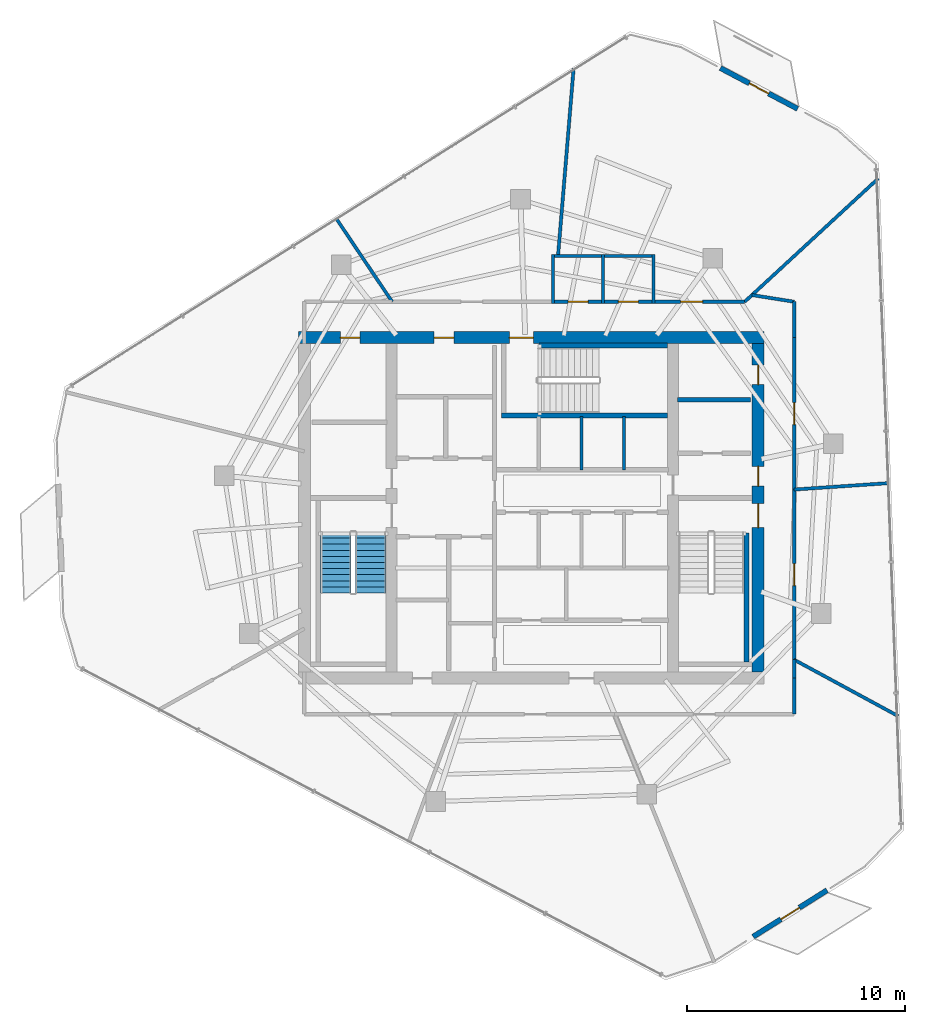
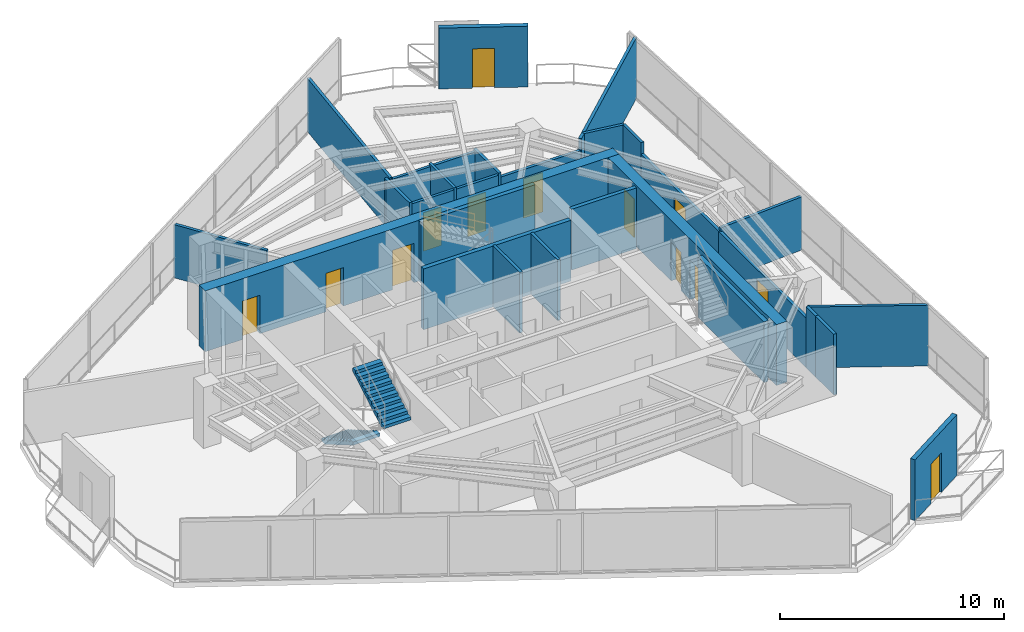
# One storey, part 16 of 19: 29 walls, 13 doors, 2 stair flights, 13 openings, 1 element without a shape of its own.
"""IFC4 building model written with IfcOpenShell, lengths in metres."""

from ifc_helpers import new_model, si_unit, direction, frame, frame_2d, origin, place, context, subcontext, project, spatial, polyline, rectangle, outline, extrude, material, layer, layer_set, type_object, element, fill, aggregate, save


model = new_model("IFC4")

# Units and contexts
model_context = context("Model", 3, precision=1e-05, world=origin(), true_north=direction((0.0, 1.0)))
body_context = subcontext(model_context, "Body", "Model", "MODEL_VIEW")
ifc_project = project(units=[si_unit("LENGTHUNIT", "METRE"), si_unit("AREAUNIT", "SQUARE_METRE"), si_unit("VOLUMEUNIT", "CUBIC_METRE"), si_unit("PLANEANGLEUNIT", "RADIAN"), si_unit("MASSUNIT", "GRAM", prefix="KILO")], contexts=[model_context])

# Site, building, storey
site_placement = place(None, origin())
site = spatial("IfcSite", under=ifc_project, at=site_placement, CompositionType="ELEMENT")
building_placement = place(site_placement, origin())
building = spatial("IfcBuilding", under=site, at=building_placement, Name="Qarnah Convention Tower", CompositionType="ELEMENT")
storey_placement = place(building_placement, frame((0.0, 0.0, 187.800048828125)))
storey = spatial("IfcBuildingStorey", under=building, at=storey_placement, Name="L50", CompositionType="ELEMENT", Elevation=187.800048828125)

# Wall, openings, doors
ifc_material_1 = material(Name="Concrete C60/75", Category="concrete")
ifc_layer_1 = layer(ifc_material_1, 0.550048828125)
ifc_layer_set_1 = layer_set([ifc_layer_1], Name="Concrete C60/75")
wall_type_1 = type_object("IfcWallType", Name="WL-CORE-550", PredefinedType="SHEAR", material=ifc_layer_set_1)
wall_1_placement = place(storey_placement, frame((26.52490234375, 34.199951171875, 0.0), z_axis=(0.0, 0.0, 1.0), x_axis=(1.0, 0.0, 0.0)))
wall_1 = element("IfcWall", 1, at=wall_1_placement, inside=storey, type_object=wall_type_1, Name="L50 core north shear wall", PredefinedType="SHEAR", context=body_context, shape_type="SweptSolid", body=[
    extrude(rectangle(XDim=21.35009765625, YDim=0.550048828125, at=frame_2d((10.675048828125, 0.0))), origin(), (0.0, 0.0, 1.0), 3.320068359375),
])
opening_1_placement = place(wall_1_placement, frame((9.675048828125, 0.0, 0.0)))
opening_1 = element("IfcOpeningElement", 2, at=opening_1_placement, cuts=wall_1, Name="Opening D-5003", PredefinedType="OPENING", context=body_context, shape_type="SweptSolid", body=[
    extrude(rectangle(XDim=1.10009765625, YDim=2.14990234375, at=frame_2d((0.550048828125, 1.074951171875))), frame((0.0, 0.284912109375, 0.0), z_axis=(0.0, -1.0, 0.0), x_axis=(1.0, 0.0, 0.0)), (0.0, 0.0, 1.0), 0.570068359375),
])
opening_2_placement = place(wall_1_placement, frame((1.925048828125, 0.0, 0.0)))
opening_2 = element("IfcOpeningElement", 3, at=opening_2_placement, cuts=wall_1, Name="Opening D-5009", PredefinedType="OPENING", context=body_context, shape_type="SweptSolid", body=[
    extrude(rectangle(XDim=0.89990234375, YDim=2.10009765625, at=frame_2d((0.449951171875, 1.050048828125))), frame((0.0, 0.284912109375, 0.0), z_axis=(0.0, -1.0, 0.0), x_axis=(1.0, 0.0, 0.0)), (0.0, 0.0, 1.0), 0.570068359375),
])
opening_3_placement = place(wall_1_placement, frame((6.22509765625, 0.0, 0.0)))
opening_3 = element("IfcOpeningElement", 4, at=opening_3_placement, cuts=wall_1, Name="Opening D-5010", PredefinedType="OPENING", context=body_context, shape_type="SweptSolid", body=[
    extrude(rectangle(XDim=0.89990234375, YDim=2.10009765625, at=frame_2d((0.449951171875, 1.050048828125))), frame((0.0, 0.284912109375, 0.0), z_axis=(0.0, -1.0, 0.0), x_axis=(1.0, 0.0, 0.0)), (0.0, 0.0, 1.0), 0.570068359375),
])
ifc_material_2 = material(Name="Structural steel S355JR", Category="steel")
door_type_1 = type_object("IfcDoorType", Name="DT-RISER-900", OperationType="NOTDEFINED", PredefinedType="DOOR", material=ifc_material_2)
door_1_placement = place(opening_2_placement, origin())
door_1 = element("IfcDoor", 5, at=door_1_placement, inside=storey, type_object=door_type_1, Name="Door D-5009", OperationType="SINGLE_SWING_RIGHT", OverallHeight=2.10009765625, OverallWidth=0.89990234375, PredefinedType="DOOR", context=body_context, shape_type="SweptSolid", body=[
    extrude(rectangle(XDim=0.89990234375, YDim=2.10009765625, at=frame_2d((0.449951171875, 1.050048828125))), frame((0.0, 0.02490234375, 0.0), z_axis=(0.0, -1.0, 0.0), x_axis=(1.0, 0.0, 0.0)), (0.0, 0.0, 1.0), 0.050048828125),
])
fill(opening_2, door_1)
door_2_placement = place(opening_3_placement, origin())
door_2 = element("IfcDoor", 6, at=door_2_placement, inside=storey, type_object=door_type_1, Name="Door D-5010", OperationType="SINGLE_SWING_LEFT", OverallHeight=2.10009765625, OverallWidth=0.89990234375, PredefinedType="DOOR", context=body_context, shape_type="SweptSolid", body=[
    extrude(rectangle(XDim=0.89990234375, YDim=2.10009765625, at=frame_2d((0.449951171875, 1.050048828125))), frame((0.0, 0.02490234375, 0.0), z_axis=(0.0, -1.0, 0.0), x_axis=(1.0, 0.0, 0.0)), (0.0, 0.0, 1.0), 0.050048828125),
])
fill(opening_3, door_2)
door_type_2 = type_object("IfcDoorType", Name="DT-STAIR-1100", OperationType="NOTDEFINED", PredefinedType="DOOR", material=ifc_material_2)
door_3_placement = place(opening_1_placement, origin())
door_3 = element("IfcDoor", 7, at=door_3_placement, inside=storey, type_object=door_type_2, Name="Door D-5003", OperationType="SINGLE_SWING_RIGHT", OverallHeight=2.14990234375, OverallWidth=1.10009765625, PredefinedType="DOOR", context=body_context, shape_type="SweptSolid", body=[
    extrude(rectangle(XDim=1.10009765625, YDim=2.14990234375, at=frame_2d((0.550048828125, 1.074951171875))), frame((0.0, 0.02490234375, 0.0), z_axis=(0.0, -1.0, 0.0), x_axis=(1.0, 0.0, 0.0)), (0.0, 0.0, 1.0), 0.050048828125),
])
fill(opening_1, door_3)

wall_2_placement = place(storey_placement, frame((47.60009765625, 18.875, 0.0), z_axis=(0.0, 0.0, 1.0), x_axis=(0.0, 1.0, 0.0)))
wall_2 = element("IfcWall", 8, at=wall_2_placement, inside=storey, type_object=wall_type_1, Name="L50 core east shear wall", PredefinedType="SHEAR", context=body_context, shape_type="SweptSolid", body=[
    extrude(rectangle(XDim=15.050048828125, YDim=0.550048828125, at=frame_2d((7.52490234375, 0.0))), origin(), (0.0, 0.0, 1.0), 3.320068359375),
])
opening_4_placement = place(wall_2_placement, frame((6.625, 0.0, 0.0)))
opening_4 = element("IfcOpeningElement", 9, at=opening_4_placement, cuts=wall_2, Name="Opening D-5002", PredefinedType="OPENING", context=body_context, shape_type="SweptSolid", body=[
    extrude(rectangle(XDim=1.10009765625, YDim=2.14990234375, at=frame_2d((0.550048828125, 1.074951171875))), frame((0.0, 0.284912109375, 0.0), z_axis=(0.0, -1.0, 0.0), x_axis=(1.0, 0.0, 0.0)), (0.0, 0.0, 1.0), 0.570068359375),
])
opening_5_placement = place(wall_2_placement, frame((8.52490234375, 0.0, 0.0)))
opening_5 = element("IfcOpeningElement", 10, at=opening_5_placement, cuts=wall_2, Name="Opening D-5006", PredefinedType="OPENING", context=body_context, shape_type="SweptSolid", body=[
    extrude(rectangle(XDim=0.89990234375, YDim=2.10009765625, at=frame_2d((0.449951171875, 1.050048828125))), frame((0.0, 0.284912109375, 0.0), z_axis=(0.0, -1.0, 0.0), x_axis=(1.0, 0.0, 0.0)), (0.0, 0.0, 1.0), 0.570068359375),
])
opening_6_placement = place(wall_2_placement, frame((13.175048828125, 0.0, 0.0)))
opening_6 = element("IfcOpeningElement", 11, at=opening_6_placement, cuts=wall_2, Name="Opening D-5012", PredefinedType="OPENING", context=body_context, shape_type="SweptSolid", body=[
    extrude(rectangle(XDim=0.89990234375, YDim=2.10009765625, at=frame_2d((0.449951171875, 1.050048828125))), frame((0.0, 0.284912109375, 0.0), z_axis=(0.0, -1.0, 0.0), x_axis=(1.0, 0.0, 0.0)), (0.0, 0.0, 1.0), 0.570068359375),
])
door_4_placement = place(opening_5_placement, origin())
door_4 = element("IfcDoor", 12, at=door_4_placement, inside=storey, type_object=door_type_1, Name="Door D-5006", OperationType="SINGLE_SWING_LEFT", OverallHeight=2.10009765625, OverallWidth=0.89990234375, PredefinedType="DOOR", context=body_context, shape_type="SweptSolid", body=[
    extrude(rectangle(XDim=0.89990234375, YDim=2.10009765625, at=frame_2d((0.449951171875, 1.050048828125))), frame((0.0, 0.02490234375, 0.0), z_axis=(0.0, -1.0, 0.0), x_axis=(1.0, 0.0, 0.0)), (0.0, 0.0, 1.0), 0.050048828125),
])
fill(opening_5, door_4)
door_5_placement = place(opening_6_placement, origin())
door_5 = element("IfcDoor", 13, at=door_5_placement, inside=storey, type_object=door_type_1, Name="Door D-5012", OperationType="SINGLE_SWING_LEFT", OverallHeight=2.10009765625, OverallWidth=0.89990234375, PredefinedType="DOOR", context=body_context, shape_type="SweptSolid", body=[
    extrude(rectangle(XDim=0.89990234375, YDim=2.10009765625, at=frame_2d((0.449951171875, 1.050048828125))), frame((0.0, 0.02490234375, 0.0), z_axis=(0.0, -1.0, 0.0), x_axis=(1.0, 0.0, 0.0)), (0.0, 0.0, 1.0), 0.050048828125),
])
fill(opening_6, door_5)
door_6_placement = place(opening_4_placement, origin())
door_6 = element("IfcDoor", 14, at=door_6_placement, inside=storey, type_object=door_type_2, Name="Door D-5002", OperationType="SINGLE_SWING_LEFT", OverallHeight=2.14990234375, OverallWidth=1.10009765625, PredefinedType="DOOR", context=body_context, shape_type="SweptSolid", body=[
    extrude(rectangle(XDim=1.10009765625, YDim=2.14990234375, at=frame_2d((0.550048828125, 1.074951171875))), frame((0.0, 0.02490234375, 0.0), z_axis=(0.0, -1.0, 0.0), x_axis=(1.0, 0.0, 0.0)), (0.0, 0.0, 1.0), 0.050048828125),
])
fill(opening_4, door_6)

# Walls
ifc_material_3 = material(Name="Concrete C45/55", Category="concrete")
ifc_layer_2 = layer(ifc_material_3, 0.199951171875)
ifc_layer_set_2 = layer_set([ifc_layer_2], Name="Concrete C45/55")
wall_type_2 = type_object("IfcWallType", Name="WL-CORE-PART-200", PredefinedType="SOLIDWALL", material=ifc_layer_set_2)
wall_3_placement = place(storey_placement, frame((43.89990234375, 31.35009765625, 0.0), z_axis=(0.0, 0.0, 1.0), x_axis=(1.0, 0.0, 0.0)))
element("IfcWall", 15, at=wall_3_placement, inside=storey, type_object=wall_type_2, Name="L50 interior wall IW-L50-WTRN", PredefinedType="SOLIDWALL", context=body_context, shape_type="SweptSolid", body=[
    extrude(rectangle(XDim=3.35009765625, YDim=0.199951171875, at=frame_2d((1.675048828125, 0.0))), origin(), (0.0, 0.0, 1.0), 3.320068359375),
])
ifc_layer_3 = layer(ifc_material_1, 0.219970703125)
ifc_layer_set_3 = layer_set([ifc_layer_3], Name="Concrete C60/75")
wall_type_3 = type_object("IfcWallType", Name="WL-CORE-STAIR-220", PredefinedType="SHEAR", material=ifc_layer_set_3)
wall_4_placement = place(storey_placement, frame((47.06005859375, 19.35009765625, 0.0), z_axis=(0.0, 0.0, 1.0), x_axis=(0.0, 1.0, 0.0)))
element("IfcWall", 16, at=wall_4_placement, inside=storey, type_object=wall_type_3, Name="L50 stair shaft shear wall SW-L50-ST2E", PredefinedType="SHEAR", context=body_context, shape_type="SweptSolid", body=[
    extrude(rectangle(XDim=5.89990234375, YDim=0.219970703125, at=frame_2d((2.949951171875, 0.0))), origin(), (0.0, 0.0, 1.0), 3.320068359375),
])
wall_5_placement = place(storey_placement, frame((35.840087890625, 30.639892578125, 0.0), z_axis=(0.0, 0.0, 1.0), x_axis=(1.0, 0.0, 0.0)))
element("IfcWall", 17, at=wall_5_placement, inside=storey, type_object=wall_type_3, Name="L50 stair shaft shear wall SW-L50-ST3S", PredefinedType="SHEAR", context=body_context, shape_type="SweptSolid", body=[
    extrude(rectangle(XDim=7.60986328125, YDim=0.219970703125, at=frame_2d((3.804931640625, 0.0))), origin(), (0.0, 0.0, 1.0), 3.320068359375),
])
wall_6_placement = place(storey_placement, frame((37.550048828125, 33.840087890625, 0.0), z_axis=(0.0, 0.0, 1.0), x_axis=(1.0, 0.0, 0.0)))
element("IfcWall", 18, at=wall_6_placement, inside=storey, type_object=wall_type_3, Name="L50 stair shaft shear wall SW-L50-ST3N", PredefinedType="SHEAR", context=body_context, shape_type="SweptSolid", body=[
    extrude(rectangle(XDim=5.89990234375, YDim=0.219970703125, at=frame_2d((2.949951171875, 0.0))), origin(), (0.0, 0.0, 1.0), 3.320068359375),
])

# Wall, opening, door
ifc_material_4 = material(Name="Precast concrete C45/55", Category="concrete")
ifc_layer_4 = layer(ifc_material_4, 0.239990234375)
ifc_layer_set_4 = layer_set([ifc_layer_4], Name="Precast concrete C45/55")
wall_type_4 = type_object("IfcWallType", Name="WL-EXT-BAL-240", PredefinedType="SOLIDWALL", material=ifc_layer_set_4)
wall_7_placement = place(storey_placement, frame((45.8701171875, 46.56103515625, 0.0), z_axis=(0.0, 0.0, 1.0), x_axis=(0.884256639335, -0.467001280289, 0.0)))
wall_7 = element("IfcWall", 19, at=wall_7_placement, inside=storey, type_object=wall_type_4, Name="L50 loggia threshold wall BAL-L50-C1", PredefinedType="SOLIDWALL", context=body_context, shape_type="SweptSolid", body=[
    extrude(rectangle(XDim=3.999755859375, YDim=0.239990234375, at=frame_2d((2.0, 0.0))), origin(), (0.0, 0.0, 1.0), 3.320068359375),
])
opening_7_placement = place(wall_7_placement, frame((1.5, 0.0, 0.0)))
opening_7 = element("IfcOpeningElement", 20, at=opening_7_placement, cuts=wall_7, Name="Opening BD-5001", PredefinedType="OPENING", context=body_context, shape_type="SweptSolid", body=[
    extrude(rectangle(XDim=1.0, YDim=2.14990234375, at=frame_2d((0.5, 1.074951171875))), frame((0.0, 0.1298828125, 0.0), z_axis=(0.0, -1.0, 0.0), x_axis=(1.0, 0.0, 0.0)), (0.0, 0.0, 1.0), 0.260009765625),
])
ifc_material_5 = material(Name="Black anodised aluminium", Category="aluminium")
door_type_3 = type_object("IfcDoorType", Name="DT-BAL-1000", OperationType="NOTDEFINED", PredefinedType="DOOR", material=ifc_material_5)
door_7_placement = place(opening_7_placement, origin())
door_7 = element("IfcDoor", 21, at=door_7_placement, inside=storey, type_object=door_type_3, Name="L50 balcony terrace door BAL-L50-C1", OperationType="SINGLE_SWING_LEFT", OverallHeight=2.14990234375, OverallWidth=1.0, PredefinedType="DOOR", context=body_context, shape_type="SweptSolid", body=[
    extrude(rectangle(XDim=1.0, YDim=2.14990234375, at=frame_2d((0.5, 1.074951171875))), frame((0.0, 0.02490234375, 0.0), z_axis=(0.0, -1.0, 0.0), x_axis=(1.0, 0.0, 0.0)), (0.0, 0.0, 1.0), 0.050048828125),
])
fill(opening_7, door_7)

wall_8_placement = place(storey_placement, frame((50.758056640625, 8.87890625, 0.0), z_axis=(0.0, 0.0, 1.0), x_axis=(-0.846641262867, -0.532164046147, 0.0)))
wall_8 = element("IfcWall", 22, at=wall_8_placement, inside=storey, type_object=wall_type_4, Name="L50 loggia threshold wall BAL-L50-C3", PredefinedType="SOLIDWALL", context=body_context, shape_type="SweptSolid", body=[
    extrude(rectangle(XDim=4.00048828125, YDim=0.239990234375, at=frame_2d((2.000244140625, 0.0))), origin(), (0.0, 0.0, 1.0), 3.320068359375),
])
opening_8_placement = place(wall_8_placement, frame((1.5, 0.0, 0.0)))
opening_8 = element("IfcOpeningElement", 23, at=opening_8_placement, cuts=wall_8, Name="Opening BD-5003", PredefinedType="OPENING", context=body_context, shape_type="SweptSolid", body=[
    extrude(rectangle(XDim=1.0, YDim=2.14990234375, at=frame_2d((0.5, 1.074951171875))), frame((0.0, 0.1298828125, 0.0), z_axis=(0.0, -1.0, 0.0), x_axis=(1.0, 0.0, 0.0)), (0.0, 0.0, 1.0), 0.260009765625),
])
door_8_placement = place(opening_8_placement, origin())
door_8 = element("IfcDoor", 24, at=door_8_placement, inside=storey, type_object=door_type_3, Name="L50 balcony terrace door BAL-L50-C3", OperationType="SINGLE_SWING_LEFT", OverallHeight=2.14990234375, OverallWidth=1.0, PredefinedType="DOOR", context=body_context, shape_type="SweptSolid", body=[
    extrude(rectangle(XDim=1.0, YDim=2.14990234375, at=frame_2d((0.5, 1.074951171875))), frame((0.0, 0.02490234375, 0.0), z_axis=(0.0, -1.0, 0.0), x_axis=(1.0, 0.0, 0.0)), (0.0, 0.0, 1.0), 0.050048828125),
])
fill(opening_8, door_8)

# Walls
ifc_material_6 = material(Name="Gypsum partition board")
ifc_layer_5 = layer(ifc_material_6, 0.14990234375)
ifc_layer_set_5 = layer_set([ifc_layer_5], Name="Gypsum partition board")
wall_type_5 = type_object("IfcWallType", Name="WL-SUITE-150", PredefinedType="PARTITIONING", material=ifc_layer_set_5)
for number, where, z_axis, x_axis, name in (
    (25, (39.5, 28.14990234375, 0.0), (0.0, 0.0, 1.0), (0.0, 1.0, 0.0), "L50 interior wall IW-L50-PHD2"),
    (26, (41.449951171875, 28.14990234375, 0.0), (0.0, 0.0, 1.0), (0.0, 1.0, 0.0), "L50 interior wall IW-L50-PHD3"),
):
    element("IfcWall", number, at=place(storey_placement, frame(where, z_axis=z_axis, x_axis=x_axis)), inside=storey, type_object=wall_type_5, Name=name, PredefinedType="PARTITIONING", context=body_context, shape_type="SweptSolid", body=[
        extrude(rectangle(XDim=2.43017578125, YDim=0.14990234375, at=frame_2d((1.215087890625, 0.0))), origin(), (0.0, 0.0, 1.0), 3.320068359375),
    ])
wall_9_placement = place(storey_placement, frame((53.10107421875, 41.49609375, 0.0), z_axis=(0.0, 0.0, 1.0), x_axis=(-0.734720217719, -0.678370254121, 0.0)))
element("IfcWall", 27, at=wall_9_placement, inside=storey, type_object=wall_type_5, Name="L50 interior wall IW-L50-R-08", PredefinedType="PARTITIONING", context=body_context, shape_type="SweptSolid", body=[
    extrude(rectangle(XDim=8.322998046875, YDim=0.14990234375, at=frame_2d((4.16162109375, 0.0))), origin(), (0.0, 0.0, 1.0), 3.320068359375),
])
wall_10_placement = place(storey_placement, frame((47.31689453125, 36.156005859375, 0.0), z_axis=(0.0, 0.0, 1.0), x_axis=(0.987709301522, -0.156302065523, 0.0)))
element("IfcWall", 28, at=wall_10_placement, inside=storey, type_object=wall_type_5, Name="L50 interior wall IW-L50-R-09", PredefinedType="PARTITIONING", context=body_context, shape_type="SweptSolid", body=[
    extrude(rectangle(XDim=1.957275390625, YDim=0.14990234375, at=frame_2d((0.978515625, 0.0))), origin(), (0.0, 0.0, 1.0), 3.320068359375),
])
wall_11_placement = place(storey_placement, frame((49.25, 35.85009765625, 0.0), z_axis=(0.0, 0.0, 1.0), x_axis=(0.0, -1.0, 0.0)))
element("IfcWall", 29, at=wall_11_placement, inside=storey, type_object=wall_type_5, Name="L50 interior wall IW-L50-R-10", PredefinedType="PARTITIONING", context=body_context, shape_type="SweptSolid", body=[
    extrude(rectangle(XDim=1.650146484375, YDim=0.14990234375, at=frame_2d((0.8251953125, 0.0))), origin(), (0.0, 0.0, 1.0), 3.320068359375),
])

# Wall, opening, door
wall_12_placement = place(storey_placement, frame((49.25, 34.199951171875, 0.0), z_axis=(0.0, 0.0, 1.0), x_axis=(0.0, -1.0, 0.0)))
wall_12 = element("IfcWall", 30, at=wall_12_placement, inside=storey, type_object=wall_type_5, Name="L50 interior wall IW-L50-R-11", PredefinedType="PARTITIONING", context=body_context, shape_type="SweptSolid", body=[
    extrude(rectangle(XDim=6.95703125, YDim=0.14990234375, at=frame_2d((3.478515625, 0.0))), origin(), (0.0, 0.0, 1.0), 2.697021484375),
])
opening_9_placement = place(wall_12_placement, frame((2.97900390625, 0.0, 0.0)))
opening_9 = element("IfcOpeningElement", 31, at=opening_9_placement, cuts=wall_12, Name="Opening D-5020", PredefinedType="OPENING", context=body_context, shape_type="SweptSolid", body=[
    extrude(rectangle(XDim=1.0, YDim=2.14990234375, at=frame_2d((0.5, 1.074951171875))), frame((0.0, 0.0849609375, 0.0), z_axis=(0.0, -1.0, 0.0), x_axis=(1.0, 0.0, 0.0)), (0.0, 0.0, 1.0), 0.169921875),
])
ifc_material_7 = material(Name="Oak timber veneer", Category="wood")
door_type_4 = type_object("IfcDoorType", Name="DT-OFFICE-1000", OperationType="NOTDEFINED", PredefinedType="DOOR", material=ifc_material_7)
door_9_placement = place(opening_9_placement, origin())
door_9 = element("IfcDoor", 32, at=door_9_placement, inside=storey, type_object=door_type_4, Name="Door D-5020", OperationType="SINGLE_SWING_LEFT", OverallHeight=2.14990234375, OverallWidth=1.0, PredefinedType="DOOR", context=body_context, shape_type="SweptSolid", body=[
    extrude(rectangle(XDim=1.0, YDim=2.14990234375, at=frame_2d((0.5, 1.074951171875))), frame((0.0, 0.02490234375, 0.0), z_axis=(0.0, -1.0, 0.0), x_axis=(1.0, 0.0, 0.0)), (0.0, 0.0, 1.0), 0.050048828125),
])
fill(opening_9, door_9)

# Walls
wall_13_placement = place(storey_placement, frame((49.25, 27.242919921875, 0.0), z_axis=(0.0, 0.0, 1.0), x_axis=(0.997713090126, 0.067591344053, 0.0)))
element("IfcWall", 33, at=wall_13_placement, inside=storey, type_object=wall_type_5, Name="L50 interior wall IW-L50-R-12", PredefinedType="PARTITIONING", context=body_context, shape_type="SweptSolid", body=[
    extrude(rectangle(XDim=4.366943359375, YDim=0.14990234375, at=frame_2d((2.18359375, 0.0))), origin(), (0.0, 0.0, 1.0), 2.905029296875),
])
wall_14_placement = place(storey_placement, frame((39.14404296875, 46.5458984375, 0.0), z_axis=(0.0, 0.0, 1.0), x_axis=(-0.082902592296, -0.996557655227, 0.0)))
element("IfcWall", 34, at=wall_14_placement, inside=storey, type_object=wall_type_5, Name="L50 interior wall IW-L50-R-13", PredefinedType="PARTITIONING", context=body_context, shape_type="SweptSolid", body=[
    extrude(rectangle(XDim=8.625732421875, YDim=0.14990234375, at=frame_2d((4.31298828125, 0.0))), origin(), (0.0, 0.0, 1.0), 2.905029296875),
])

# Wall, opening, door
wall_15_placement = place(storey_placement, frame((42.8701171875, 35.85009765625, 0.0), z_axis=(0.0, 0.0, 1.0), x_axis=(1.0, 0.0, 0.0)))
wall_15 = element("IfcWall", 35, at=wall_15_placement, inside=storey, type_object=wall_type_5, Name="L50 interior wall IW-L50-R-14", PredefinedType="PARTITIONING", context=body_context, shape_type="SweptSolid", body=[
    extrude(rectangle(XDim=4.115966796875, YDim=0.14990234375, at=frame_2d((2.05810546875, 0.0))), origin(), (0.0, 0.0, 1.0), 2.697021484375),
])
opening_10_placement = place(wall_15_placement, frame((1.180908203125, 0.0, 0.0)))
opening_10 = element("IfcOpeningElement", 36, at=opening_10_placement, cuts=wall_15, Name="Opening D-5021", PredefinedType="OPENING", context=body_context, shape_type="SweptSolid", body=[
    extrude(rectangle(XDim=1.0, YDim=2.14990234375, at=frame_2d((0.5, 1.074951171875))), frame((0.0, 0.0849609375, 0.0), z_axis=(0.0, -1.0, 0.0), x_axis=(1.0, 0.0, 0.0)), (0.0, 0.0, 1.0), 0.169921875),
])
door_10_placement = place(opening_10_placement, origin())
door_10 = element("IfcDoor", 37, at=door_10_placement, inside=storey, type_object=door_type_4, Name="Door D-5021", OperationType="SINGLE_SWING_RIGHT", OverallHeight=2.14990234375, OverallWidth=1.0, PredefinedType="DOOR", context=body_context, shape_type="SweptSolid", body=[
    extrude(rectangle(XDim=1.0, YDim=2.14990234375, at=frame_2d((0.5, 1.074951171875))), frame((0.0, 0.02490234375, 0.0), z_axis=(0.0, -1.0, 0.0), x_axis=(1.0, 0.0, 0.0)), (0.0, 0.0, 1.0), 0.050048828125),
])
fill(opening_10, door_10)

# Walls
wall_16_placement = place(storey_placement, frame((28.25390625, 39.678955078125, 0.0), z_axis=(0.0, 0.0, 1.0), x_axis=(0.557616067382, -0.830098982891, 0.0)))
element("IfcWall", 38, at=wall_16_placement, inside=storey, type_object=wall_type_5, Name="L50 interior wall IW-L50-R-15", PredefinedType="PARTITIONING", context=body_context, shape_type="SweptSolid", body=[
    extrude(rectangle(XDim=4.612548828125, YDim=0.14990234375, at=frame_2d((2.30615234375, 0.0))), origin(), (0.0, 0.0, 1.0), 2.905029296875),
])
wall_17_placement = place(storey_placement, frame((54.02197265625, 16.85888671875, 0.0), z_axis=(0.0, 0.0, 1.0), x_axis=(-0.879337494104, 0.476199088053, 0.0)))
element("IfcWall", 39, at=wall_17_placement, inside=storey, type_object=wall_type_5, Name="L50 interior wall IW-L50-R-26", PredefinedType="PARTITIONING", context=body_context, shape_type="SweptSolid", body=[
    extrude(rectangle(XDim=5.4267578125, YDim=0.14990234375, at=frame_2d((2.71337890625, 0.0))), origin(), (0.0, 0.0, 1.0), 3.320068359375),
])
wall_18_placement = place(storey_placement, frame((49.25, 19.443115234375, 0.0), z_axis=(0.0, 0.0, 1.0), x_axis=(0.0, -1.0, 0.0)))
element("IfcWall", 40, at=wall_18_placement, inside=storey, type_object=wall_type_5, Name="L50 interior wall IW-L50-R-27", PredefinedType="PARTITIONING", context=body_context, shape_type="SweptSolid", body=[
    extrude(rectangle(XDim=0.843017578125, YDim=0.14990234375, at=frame_2d((0.42138671875, 0.0))), origin(), (0.0, 0.0, 1.0), 3.320068359375),
])
wall_19_placement = place(storey_placement, frame((49.25, 18.60009765625, 0.0), z_axis=(0.0, 0.0, 1.0), x_axis=(0.0, -1.0, 0.0)))
element("IfcWall", 41, at=wall_19_placement, inside=storey, type_object=wall_type_5, Name="L50 interior wall IW-L50-R-28", PredefinedType="PARTITIONING", context=body_context, shape_type="SweptSolid", body=[
    extrude(rectangle(XDim=1.650146484375, YDim=0.14990234375, at=frame_2d((0.8251953125, 0.0))), origin(), (0.0, 0.0, 1.0), 3.320068359375),
])

# Wall, opening, door
wall_20_placement = place(storey_placement, frame((49.25, 27.242919921875, 0.0), z_axis=(0.0, 0.0, 1.0), x_axis=(0.0, -1.0, 0.0)))
wall_20 = element("IfcWall", 42, at=wall_20_placement, inside=storey, type_object=wall_type_5, Name="L50 interior wall IW-L50-R-30", PredefinedType="PARTITIONING", context=body_context, shape_type="SweptSolid", body=[
    extrude(rectangle(XDim=7.7998046875, YDim=0.14990234375, at=frame_2d((3.89990234375, 0.0))), origin(), (0.0, 0.0, 1.0), 2.697021484375),
])
opening_11_placement = place(wall_20_placement, frame((3.39990234375, 0.0, 0.0)))
opening_11 = element("IfcOpeningElement", 43, at=opening_11_placement, cuts=wall_20, Name="Opening D-5028", PredefinedType="OPENING", context=body_context, shape_type="SweptSolid", body=[
    extrude(rectangle(XDim=1.0, YDim=2.14990234375, at=frame_2d((0.5, 1.074951171875))), frame((0.0, 0.0849609375, 0.0), z_axis=(0.0, -1.0, 0.0), x_axis=(1.0, 0.0, 0.0)), (0.0, 0.0, 1.0), 0.169921875),
])
door_11_placement = place(opening_11_placement, origin())
door_11 = element("IfcDoor", 44, at=door_11_placement, inside=storey, type_object=door_type_4, Name="Door D-5028", OperationType="SINGLE_SWING_LEFT", OverallHeight=2.14990234375, OverallWidth=1.0, PredefinedType="DOOR", context=body_context, shape_type="SweptSolid", body=[
    extrude(rectangle(XDim=1.0, YDim=2.14990234375, at=frame_2d((0.5, 1.074951171875))), frame((0.0, 0.02490234375, 0.0), z_axis=(0.0, -1.0, 0.0), x_axis=(1.0, 0.0, 0.0)), (0.0, 0.0, 1.0), 0.050048828125),
])
fill(opening_11, door_11)

ifc_layer_6 = layer(ifc_material_6, 0.139892578125)
ifc_layer_set_6 = layer_set([ifc_layer_6], Name="Gypsum partition board")
wall_type_6 = type_object("IfcWallType", Name="WL-WET-140", PredefinedType="PARTITIONING", material=ifc_layer_set_6)
wall_21_placement = place(storey_placement, frame((38.1298828125, 35.85009765625, 0.0), z_axis=(0.0, 0.0, 1.0), x_axis=(1.0, 0.0, 0.0)))
wall_21 = element("IfcWall", 45, at=wall_21_placement, inside=storey, type_object=wall_type_6, Name="L50 interior wall IW-L50-WCM-1", PredefinedType="PARTITIONING", context=body_context, shape_type="SweptSolid", body=[
    extrude(rectangle(XDim=2.440185546875, YDim=0.139892578125, at=frame_2d((1.22021484375, 0.0))), origin(), (0.0, 0.0, 1.0), 2.841064453125),
])
opening_12_placement = place(wall_21_placement, frame((0.760009765625, 0.0, 0.0)))
opening_12 = element("IfcOpeningElement", 46, at=opening_12_placement, cuts=wall_21, Name="Opening D-5018", PredefinedType="OPENING", context=body_context, shape_type="SweptSolid", body=[
    extrude(rectangle(XDim=0.919921875, YDim=2.10009765625, at=frame_2d((0.4599609375, 1.050048828125))), frame((0.0, 0.079833984375, 0.0), z_axis=(0.0, -1.0, 0.0), x_axis=(1.0, 0.0, 0.0)), (0.0, 0.0, 1.0), 0.159912109375),
])
door_type_5 = type_object("IfcDoorType", Name="DT-WC-920", OperationType="NOTDEFINED", PredefinedType="DOOR", material=ifc_material_7)
door_12_placement = place(opening_12_placement, origin())
door_12 = element("IfcDoor", 47, at=door_12_placement, inside=storey, type_object=door_type_5, Name="Door D-5018", OperationType="SINGLE_SWING_LEFT", OverallHeight=2.10009765625, OverallWidth=0.919921875, PredefinedType="DOOR", context=body_context, shape_type="SweptSolid", body=[
    extrude(rectangle(XDim=0.919921875, YDim=2.10009765625, at=frame_2d((0.4599609375, 1.050048828125))), frame((0.0, 0.02490234375, 0.0), z_axis=(0.0, -1.0, 0.0), x_axis=(1.0, 0.0, 0.0)), (0.0, 0.0, 1.0), 0.050048828125),
])
fill(opening_12, door_12)

# Walls
wall_22_placement = place(storey_placement, frame((40.5, 35.780029296875, 0.0), z_axis=(0.0, 0.0, 1.0), x_axis=(0.0, 1.0, 0.0)))
element("IfcWall", 48, at=wall_22_placement, inside=storey, type_object=wall_type_6, Name="L50 interior wall IW-L50-WCM-2", PredefinedType="PARTITIONING", context=body_context, shape_type="SweptSolid", body=[
    extrude(rectangle(XDim=2.239990234375, YDim=0.139892578125, at=frame_2d((1.1201171875, 0.0))), origin(), (0.0, 0.0, 1.0), 2.948974609375),
])
wall_23_placement = place(storey_placement, frame((40.570068359375, 37.949951171875, 0.0), z_axis=(0.0, 0.0, 1.0), x_axis=(-1.0, 0.0, 0.0)))
element("IfcWall", 49, at=wall_23_placement, inside=storey, type_object=wall_type_6, Name="L50 interior wall IW-L50-WCM-3", PredefinedType="PARTITIONING", context=body_context, shape_type="SweptSolid", body=[
    extrude(rectangle(XDim=2.440185546875, YDim=0.139892578125, at=frame_2d((1.22021484375, 0.0))), origin(), (0.0, 0.0, 1.0), 2.841064453125),
])
wall_24_placement = place(storey_placement, frame((38.199951171875, 38.02001953125, 0.0), z_axis=(0.0, 0.0, 1.0), x_axis=(0.0, -1.0, 0.0)))
element("IfcWall", 50, at=wall_24_placement, inside=storey, type_object=wall_type_6, Name="L50 interior wall IW-L50-WCM-4", PredefinedType="PARTITIONING", context=body_context, shape_type="SweptSolid", body=[
    extrude(rectangle(XDim=2.239990234375, YDim=0.139892578125, at=frame_2d((1.1201171875, 0.0))), origin(), (0.0, 0.0, 1.0), 2.948974609375),
])

# Wall, opening, door
wall_25_placement = place(storey_placement, frame((40.429931640625, 35.85009765625, 0.0), z_axis=(0.0, 0.0, 1.0), x_axis=(1.0, 0.0, 0.0)))
wall_25 = element("IfcWall", 51, at=wall_25_placement, inside=storey, type_object=wall_type_6, Name="L50 interior wall IW-L50-WCF-1", PredefinedType="PARTITIONING", context=body_context, shape_type="SweptSolid", body=[
    extrude(rectangle(XDim=2.440185546875, YDim=0.139892578125, at=frame_2d((1.22021484375, 0.0))), origin(), (0.0, 0.0, 1.0), 2.841064453125),
])
opening_13_placement = place(wall_25_placement, frame((0.760009765625, 0.0, 0.0)))
opening_13 = element("IfcOpeningElement", 52, at=opening_13_placement, cuts=wall_25, Name="Opening D-5019", PredefinedType="OPENING", context=body_context, shape_type="SweptSolid", body=[
    extrude(rectangle(XDim=0.919921875, YDim=2.10009765625, at=frame_2d((0.4599609375, 1.050048828125))), frame((0.0, 0.079833984375, 0.0), z_axis=(0.0, -1.0, 0.0), x_axis=(1.0, 0.0, 0.0)), (0.0, 0.0, 1.0), 0.159912109375),
])
door_13_placement = place(opening_13_placement, origin())
door_13 = element("IfcDoor", 53, at=door_13_placement, inside=storey, type_object=door_type_5, Name="Door D-5019", OperationType="SINGLE_SWING_RIGHT", OverallHeight=2.10009765625, OverallWidth=0.919921875, PredefinedType="DOOR", context=body_context, shape_type="SweptSolid", body=[
    extrude(rectangle(XDim=0.919921875, YDim=2.10009765625, at=frame_2d((0.4599609375, 1.050048828125))), frame((0.0, 0.02490234375, 0.0), z_axis=(0.0, -1.0, 0.0), x_axis=(1.0, 0.0, 0.0)), (0.0, 0.0, 1.0), 0.050048828125),
])
fill(opening_13, door_13)

# Walls
wall_26_placement = place(storey_placement, frame((42.800048828125, 35.780029296875, 0.0), z_axis=(0.0, 0.0, 1.0), x_axis=(0.0, 1.0, 0.0)))
element("IfcWall", 54, at=wall_26_placement, inside=storey, type_object=wall_type_6, Name="L50 interior wall IW-L50-WCF-2", PredefinedType="PARTITIONING", context=body_context, shape_type="SweptSolid", body=[
    extrude(rectangle(XDim=2.239990234375, YDim=0.139892578125, at=frame_2d((1.1201171875, 0.0))), origin(), (0.0, 0.0, 1.0), 2.948974609375),
])
wall_27_placement = place(storey_placement, frame((42.8701171875, 37.949951171875, 0.0), z_axis=(0.0, 0.0, 1.0), x_axis=(-1.0, 0.0, 0.0)))
element("IfcWall", 55, at=wall_27_placement, inside=storey, type_object=wall_type_6, Name="L50 interior wall IW-L50-WCF-3", PredefinedType="PARTITIONING", context=body_context, shape_type="SweptSolid", body=[
    extrude(rectangle(XDim=2.440185546875, YDim=0.139892578125, at=frame_2d((1.22021484375, 0.0))), origin(), (0.0, 0.0, 1.0), 2.841064453125),
])

# Stair, stair flights
ifc_material_8 = material(Name="Concrete C50/60", Category="concrete")
stair_type = type_object("IfcStairType", Name="STR-OFF", PredefinedType="HALF_TURN_STAIR", material=ifc_material_8)
stair_placement = place(storey_placement, origin())
stair = element("IfcStair", 56, at=stair_placement, inside=storey, type_object=stair_type, Name="L50 Core exit stair ST-1", PredefinedType="HALF_TURN_STAIR")
stair_flight_type = type_object("IfcStairFlightType", Name="FLT-OFF", PredefinedType="STRAIGHT", material=ifc_material_8)
stair_flight_1_placement = place(storey_placement, frame((28.25, 25.300048828125, 0.0), z_axis=(0.0, 0.0, 1.0), x_axis=(0.0, -1.0, 0.0)))
stair_flight_1 = element("IfcStairFlight", 57, at=stair_flight_1_placement, type_object=stair_flight_type, Name="ST-1 flight 1", NumberOfRisers=11, NumberOfTreads=10, PredefinedType="STRAIGHT", RiserHeight=0.163636364, TreadLength=0.28, context=body_context, shape_type="SweptSolid", body=[
    extrude(outline(polyline([(0.0, 0.0), (0.0, 0.16357421875), (0.280029296875, 0.16357421875), (0.280029296875, 0.327392578125), (0.56005859375, 0.327392578125), (0.56005859375, 0.490966796875), (0.840087890625, 0.490966796875), (0.840087890625, 0.654541015625), (1.1201171875, 0.654541015625), (1.1201171875, 0.818115234375), (1.39990234375, 0.818115234375), (1.39990234375, 0.98193359375), (1.679931640625, 0.98193359375), (1.679931640625, 1.1455078125), (1.9599609375, 1.1455078125), (1.9599609375, 1.30908203125), (2.239990234375, 1.30908203125), (2.239990234375, 1.47265625), (2.52001953125, 1.47265625), (2.52001953125, 1.636474609375), (2.800048828125, 1.636474609375), (2.800048828125, 1.800048828125), (2.800048828125, 1.462646484375), (0.297119140625, 0.0), (0.0, 0.0)])), frame((0.0, 0.699951171875, 0.0), z_axis=(0.0, -1.0, 0.0), x_axis=(1.0, 0.0, 0.0)), (0.0, 0.0, 1.0), 1.39990234375),
])
stair_flight_2_placement = place(storey_placement, frame((29.85009765625, 22.5, 1.800048828125), z_axis=(0.0, 0.0, 1.0), x_axis=(0.0, 1.0, 0.0)))
stair_flight_2 = element("IfcStairFlight", 58, at=stair_flight_2_placement, type_object=stair_flight_type, Name="ST-1 flight 2", NumberOfRisers=11, NumberOfTreads=10, PredefinedType="STRAIGHT", RiserHeight=0.163636364, TreadLength=0.28, context=body_context, shape_type="SweptSolid", body=[
    extrude(outline(polyline([(0.0, 0.0), (0.0, 0.16357421875), (0.280029296875, 0.16357421875), (0.280029296875, 0.327392578125), (0.56005859375, 0.327392578125), (0.56005859375, 0.490966796875), (0.840087890625, 0.490966796875), (0.840087890625, 0.654541015625), (1.1201171875, 0.654541015625), (1.1201171875, 0.818115234375), (1.39990234375, 0.818115234375), (1.39990234375, 0.98193359375), (1.679931640625, 0.98193359375), (1.679931640625, 1.1455078125), (1.9599609375, 1.1455078125), (1.9599609375, 1.30908203125), (2.239990234375, 1.30908203125), (2.239990234375, 1.47265625), (2.52001953125, 1.47265625), (2.52001953125, 1.636474609375), (2.800048828125, 1.636474609375), (2.800048828125, 1.800048828125), (2.800048828125, 1.462646484375), (0.297119140625, 0.0), (0.0, 0.0)])), frame((0.0, 0.699951171875, 0.0), z_axis=(0.0, -1.0, 0.0), x_axis=(1.0, 0.0, 0.0)), (0.0, 0.0, 1.0), 1.39990234375),
])
aggregate(stair, [stair_flight_1, stair_flight_2])

save(model, "model.ifc")
